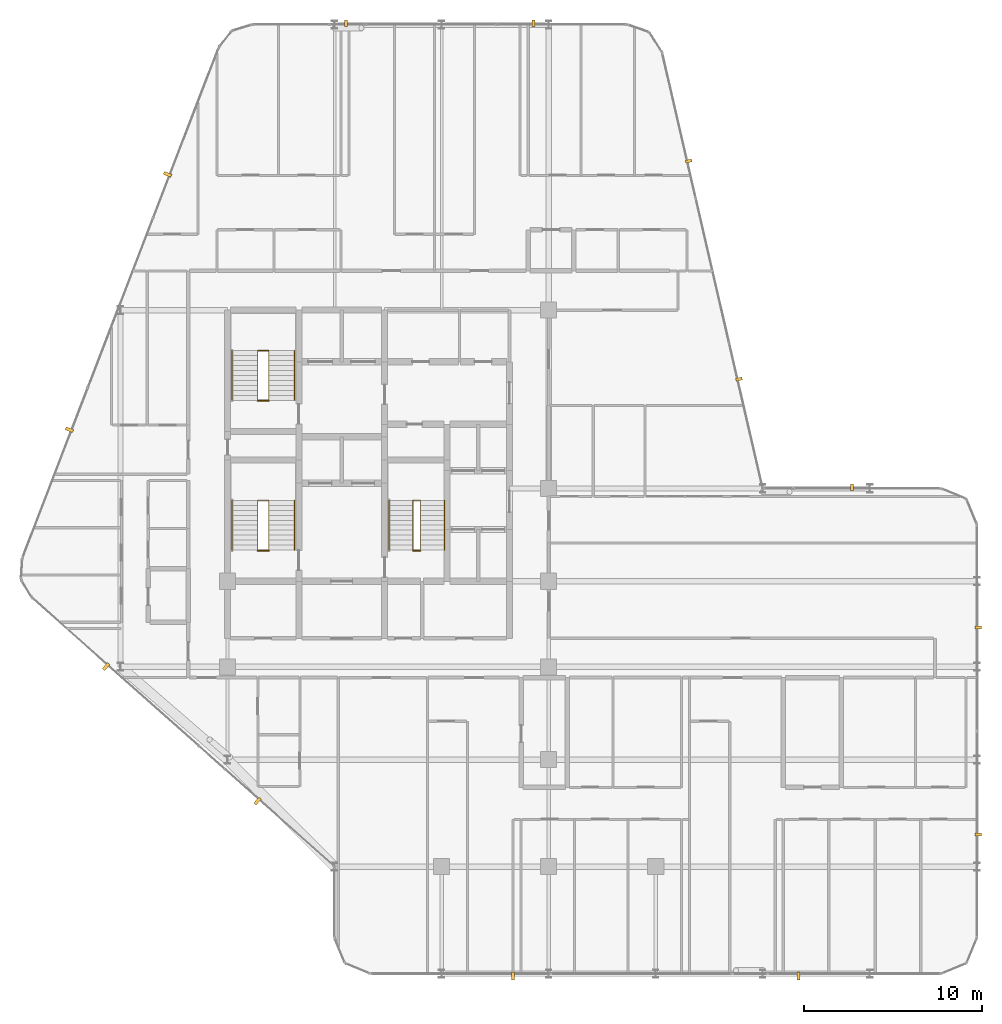
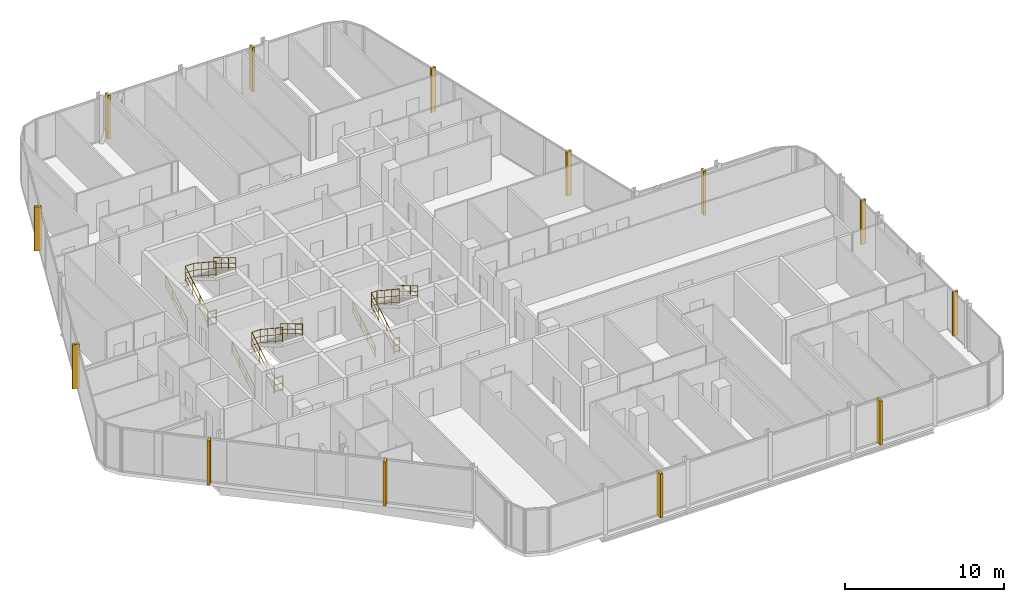
# One storey, part 29 of 29: 13 coverings, 12 railings.
"""IFC4 building model written with IfcOpenShell, lengths in metres."""

from ifc_helpers import new_model, si_unit, direction, frame, origin, origin_2d, place, context, subcontext, project, spatial, rectangle, circle, extrude, material, layer, layer_set, type_object, element, save


model = new_model("IFC4")

# Units and contexts
model_context = context("Model", 3, precision=1e-05, world=origin(), true_north=direction((0.0, 1.0)))
body_context = subcontext(model_context, "Body", "Model", "MODEL_VIEW")
ifc_project = project(units=[si_unit("LENGTHUNIT", "METRE"), si_unit("AREAUNIT", "SQUARE_METRE"), si_unit("VOLUMEUNIT", "CUBIC_METRE"), si_unit("PLANEANGLEUNIT", "RADIAN"), si_unit("MASSUNIT", "GRAM", prefix="KILO")], contexts=[model_context])

# Site, building, storey
site_placement = place(None, origin())
site = spatial("IfcSite", under=ifc_project, at=site_placement, CompositionType="ELEMENT")
building_placement = place(site_placement, origin())
building = spatial("IfcBuilding", under=site, at=building_placement, Name="Keshet Zoharim Tower", CompositionType="ELEMENT")
storey_placement = place(building_placement, frame((0.0, 0.0, 188.39990234375)))
storey = spatial("IfcBuildingStorey", under=building, at=storey_placement, Name="L46", CompositionType="ELEMENT", Elevation=188.39990234375)

# Coverings
ifc_material_1 = material(Name="Concrete C50/60 precast", Category="concrete")
covering_type_1 = type_object("IfcCoveringType", Name="FIN-SOL-360", PredefinedType="CLADDING", material=ifc_material_1)
for number, where, z_axis, x_axis, name in (
    (1, (57.080078125, 20.10009765625, 0.0), (0.0, 0.0, 1.0), (0.0, -1.0, 0.0), "L46 Vertical Precast Solar Fin 01"),
    (2, (57.080078125, 8.5, 0.0), (0.0, 0.0, 1.0), (0.0, -1.0, 0.0), "L46 Vertical Precast Solar Fin 02"),
    (3, (21.633056640625, 53.97998046875, 0.0), (0.0, 0.0, 1.0), (1.0, 0.0, 0.0), "L46 Vertical Precast Solar Fin 09"),
    (4, (32.14990234375, 53.97998046875, 0.0), (0.0, 0.0, 1.0), (1.0, 0.0, 0.0), "L46 Vertical Precast Solar Fin 10"),
    (5, (40.845947265625, 46.2548828125, 0.0), (0.0, 0.0, 1.0), (0.224847864369, -0.974393882313, 0.0), "L46 Vertical Precast Solar Fin 11"),
    (6, (43.6669921875, 34.030029296875, 0.0), (0.0, 0.0, 1.0), (0.224847864369, -0.974393882313, 0.0), "L46 Vertical Precast Solar Fin 12"),
    (7, (50.0, 27.97998046875, 0.0), (0.0, 0.0, 1.0), (1.0, 0.0, 0.0), "L46 Vertical Precast Solar Fin 13"),
):
    element("IfcCovering", number, at=place(storey_placement, frame(where, z_axis=z_axis, x_axis=x_axis)), inside=storey, type_object=covering_type_1, Name=name, PredefinedType="CLADDING", context=body_context, shape_type="SweptSolid", body=[
        extrude(rectangle(XDim=0.159912109375, YDim=0.360107421875, at=origin_2d()), origin(), (0.0, 0.0, 1.0), 3.389892578125),
    ])
covering_type_2 = type_object("IfcCoveringType", Name="FIN-SOL-450", PredefinedType="CLADDING", material=ifc_material_1)
for number, where, z_axis, x_axis, name in (
    (8, (47.0, 0.574951171875, 0.0), (0.0, 0.0, 1.0), (-1.0, 0.0, 0.0), "L46 Vertical Precast Solar Fin 03"),
    (9, (31.0, 0.574951171875, 0.0), (0.0, 0.0, 1.0), (-1.0, 0.0, 0.0), "L46 Vertical Precast Solar Fin 04"),
    (10, (16.676025390625, 10.376953125, 0.0), (0.0, 0.0, 1.0), (-0.747409318679, 0.664363838836, 0.0), "L46 Vertical Precast Solar Fin 05"),
    (11, (8.193115234375, 17.9169921875, 0.0), (0.0, 0.0, 1.0), (-0.747409318679, 0.664363838836, 0.0), "L46 Vertical Precast Solar Fin 06"),
    (12, (6.133056640625, 31.194091796875, 0.0), (0.0, 0.0, 1.0), (0.358990003907, 0.933341404361, 0.0), "L46 Vertical Precast Solar Fin 07"),
    (13, (11.637939453125, 45.507080078125, 0.0), (0.0, 0.0, 1.0), (0.358990003907, 0.933341404361, 0.0), "L46 Vertical Precast Solar Fin 08"),
):
    element("IfcCovering", number, at=place(storey_placement, frame(where, z_axis=z_axis, x_axis=x_axis)), inside=storey, type_object=covering_type_2, Name=name, PredefinedType="CLADDING", context=body_context, shape_type="SweptSolid", body=[
        extrude(rectangle(XDim=0.179931640625, YDim=0.449951171875, at=origin_2d()), origin(), (0.0, 0.0, 1.0), 3.389892578125),
    ])

# Railings
ifc_material_2 = material(Name="Steel S355", Category="steel")
ifc_layer_1 = layer(ifc_material_2, 0.050048828125)
ifc_layer_set_1 = layer_set([ifc_layer_1], Name="Steel S355")
railing_type_1 = type_object("IfcRailingType", Name="RL-HND-092", PredefinedType="HANDRAIL", material=ifc_layer_set_1)
railing_1_placement = place(storey_placement, frame((15.239990234375, 24.43994140625, 0.168212890625)))
element("IfcRailing", 14, at=railing_1_placement, inside=storey, type_object=railing_type_1, Name="L46 ST-01 Flight 1 Wall Handrail", PredefinedType="HANDRAIL", context=body_context, shape_type="SweptSolid", body=[
    extrude(circle(Radius=0.02392578125, at=origin_2d()), frame((0.0, 0.0, 0.89599609375), z_axis=(0.0, 0.857242210791, 0.514913383045), x_axis=(-1.0, 0.0, 0.0)), (0.0, 0.0, 1.0), 3.266357421875),
    extrude(circle(Radius=0.01611328125, at=origin_2d()), frame((0.0, 0.0, 0.478271484375), z_axis=(0.0, 0.857242210791, 0.514913383045), x_axis=(-1.0, 0.0, 0.0)), (0.0, 0.0, 1.0), 3.266357421875),
    extrude(circle(Radius=0.01611328125, at=origin_2d()), frame((0.0, 0.0, 0.1201171875), z_axis=(0.0, 0.857242210791, 0.514913383045), x_axis=(-1.0, 0.0, 0.0)), (0.0, 0.0, 1.0), 3.266357421875),
    extrude(circle(Radius=0.02099609375, at=origin_2d()), origin(), (0.0, 0.0, 1.0), 0.871826171875),
    extrude(circle(Radius=0.02099609375, at=origin_2d()), frame((0.0, 0.933349609375, 0.560546875)), (0.0, 0.0, 1.0), 0.871826171875),
    extrude(circle(Radius=0.02099609375, at=origin_2d()), frame((0.0, 1.86669921875, 1.121337890625)), (0.0, 0.0, 1.0), 0.871826171875),
    extrude(circle(Radius=0.02099609375, at=origin_2d()), frame((0.0, 2.800048828125, 1.681884765625)), (0.0, 0.0, 1.0), 0.871826171875),
])
railing_2_placement = place(storey_placement, frame((18.760009765625, 27.239990234375, 2.018310546875)))
element("IfcRailing", 15, at=railing_2_placement, inside=storey, type_object=railing_type_1, Name="L46 ST-01 Flight 2 Wall Handrail", PredefinedType="HANDRAIL", context=body_context, shape_type="SweptSolid", body=[
    extrude(circle(Radius=0.02392578125, at=origin_2d()), frame((0.0, 0.0, 0.89599609375), z_axis=(0.0, -0.857242210791, 0.514913383045), x_axis=(1.0, 0.0, 0.0)), (0.0, 0.0, 1.0), 3.266357421875),
    extrude(circle(Radius=0.01611328125, at=origin_2d()), frame((0.0, 0.0, 0.478271484375), z_axis=(0.0, -0.857242210791, 0.514913383045), x_axis=(1.0, 0.0, 0.0)), (0.0, 0.0, 1.0), 3.266357421875),
    extrude(circle(Radius=0.01611328125, at=origin_2d()), frame((0.0, 0.0, 0.1201171875), z_axis=(0.0, -0.857242210791, 0.514913383045), x_axis=(1.0, 0.0, 0.0)), (0.0, 0.0, 1.0), 3.266357421875),
    extrude(circle(Radius=0.02099609375, at=origin_2d()), origin(), (0.0, 0.0, 1.0), 0.871826171875),
    extrude(circle(Radius=0.02099609375, at=origin_2d()), frame((0.0, -0.933349609375, 0.560546875)), (0.0, 0.0, 1.0), 0.871826171875),
    extrude(circle(Radius=0.02099609375, at=origin_2d()), frame((0.0, -1.86669921875, 1.121337890625)), (0.0, 0.0, 1.0), 0.871826171875),
    extrude(circle(Radius=0.02099609375, at=origin_2d()), frame((0.0, -2.800048828125, 1.681884765625)), (0.0, 0.0, 1.0), 0.871826171875),
])
railing_3_placement = place(storey_placement, frame((15.239990234375, 32.840087890625, 0.168212890625)))
element("IfcRailing", 16, at=railing_3_placement, inside=storey, type_object=railing_type_1, Name="L46 ST-02 Flight 1 Wall Handrail", PredefinedType="HANDRAIL", context=body_context, shape_type="SweptSolid", body=[
    extrude(circle(Radius=0.02392578125, at=origin_2d()), frame((0.0, 0.0, 0.89599609375), z_axis=(0.0, 0.857222391501, 0.514946377315), x_axis=(-1.0, 0.0, 0.0)), (0.0, 0.0, 1.0), 3.26611328125),
    extrude(circle(Radius=0.01611328125, at=origin_2d()), frame((0.0, 0.0, 0.478271484375), z_axis=(0.0, 0.857222391501, 0.514946377315), x_axis=(-1.0, 0.0, 0.0)), (0.0, 0.0, 1.0), 3.26611328125),
    extrude(circle(Radius=0.01611328125, at=origin_2d()), frame((0.0, 0.0, 0.1201171875), z_axis=(0.0, 0.857222391501, 0.514946377315), x_axis=(-1.0, 0.0, 0.0)), (0.0, 0.0, 1.0), 3.26611328125),
    extrude(circle(Radius=0.02099609375, at=origin_2d()), origin(), (0.0, 0.0, 1.0), 0.871826171875),
    extrude(circle(Radius=0.02099609375, at=origin_2d()), frame((0.0, 0.933349609375, 0.560546875)), (0.0, 0.0, 1.0), 0.871826171875),
    extrude(circle(Radius=0.02099609375, at=origin_2d()), frame((0.0, 1.866455078125, 1.121337890625)), (0.0, 0.0, 1.0), 0.871826171875),
    extrude(circle(Radius=0.02099609375, at=origin_2d()), frame((0.0, 2.7998046875, 1.681884765625)), (0.0, 0.0, 1.0), 0.871826171875),
])
railing_4_placement = place(storey_placement, frame((18.760009765625, 35.639892578125, 2.018310546875)))
element("IfcRailing", 17, at=railing_4_placement, inside=storey, type_object=railing_type_1, Name="L46 ST-02 Flight 2 Wall Handrail", PredefinedType="HANDRAIL", context=body_context, shape_type="SweptSolid", body=[
    extrude(circle(Radius=0.02392578125, at=origin_2d()), frame((0.0, 0.0, 0.89599609375), z_axis=(0.0, -0.857222391501, 0.514946377315), x_axis=(1.0, 0.0, 0.0)), (0.0, 0.0, 1.0), 3.26611328125),
    extrude(circle(Radius=0.01611328125, at=origin_2d()), frame((0.0, 0.0, 0.478271484375), z_axis=(0.0, -0.857222391501, 0.514946377315), x_axis=(1.0, 0.0, 0.0)), (0.0, 0.0, 1.0), 3.26611328125),
    extrude(circle(Radius=0.01611328125, at=origin_2d()), frame((0.0, 0.0, 0.1201171875), z_axis=(0.0, -0.857222391501, 0.514946377315), x_axis=(1.0, 0.0, 0.0)), (0.0, 0.0, 1.0), 3.26611328125),
    extrude(circle(Radius=0.02099609375, at=origin_2d()), origin(), (0.0, 0.0, 1.0), 0.871826171875),
    extrude(circle(Radius=0.02099609375, at=origin_2d()), frame((0.0, -0.933349609375, 0.560546875)), (0.0, 0.0, 1.0), 0.871826171875),
    extrude(circle(Radius=0.02099609375, at=origin_2d()), frame((0.0, -1.866455078125, 1.121337890625)), (0.0, 0.0, 1.0), 0.871826171875),
    extrude(circle(Radius=0.02099609375, at=origin_2d()), frame((0.0, -2.7998046875, 1.681884765625)), (0.0, 0.0, 1.0), 0.871826171875),
])
railing_5_placement = place(storey_placement, frame((24.0400390625, 24.43994140625, 0.168212890625)))
element("IfcRailing", 18, at=railing_5_placement, inside=storey, type_object=railing_type_1, Name="L46 ST-03 Flight 1 Wall Handrail", PredefinedType="HANDRAIL", context=body_context, shape_type="SweptSolid", body=[
    extrude(circle(Radius=0.02392578125, at=origin_2d()), frame((0.0, 0.0, 0.89599609375), z_axis=(0.0, 0.857242210791, 0.514913383045), x_axis=(-1.0, 0.0, 0.0)), (0.0, 0.0, 1.0), 3.266357421875),
    extrude(circle(Radius=0.01611328125, at=origin_2d()), frame((0.0, 0.0, 0.478271484375), z_axis=(0.0, 0.857242210791, 0.514913383045), x_axis=(-1.0, 0.0, 0.0)), (0.0, 0.0, 1.0), 3.266357421875),
    extrude(circle(Radius=0.01611328125, at=origin_2d()), frame((0.0, 0.0, 0.1201171875), z_axis=(0.0, 0.857242210791, 0.514913383045), x_axis=(-1.0, 0.0, 0.0)), (0.0, 0.0, 1.0), 3.266357421875),
    extrude(circle(Radius=0.02099609375, at=origin_2d()), origin(), (0.0, 0.0, 1.0), 0.871826171875),
    extrude(circle(Radius=0.02099609375, at=origin_2d()), frame((0.0, 0.933349609375, 0.560546875)), (0.0, 0.0, 1.0), 0.871826171875),
    extrude(circle(Radius=0.02099609375, at=origin_2d()), frame((0.0, 1.86669921875, 1.121337890625)), (0.0, 0.0, 1.0), 0.871826171875),
    extrude(circle(Radius=0.02099609375, at=origin_2d()), frame((0.0, 2.800048828125, 1.681884765625)), (0.0, 0.0, 1.0), 0.871826171875),
])
railing_6_placement = place(storey_placement, frame((27.159912109375, 27.239990234375, 2.018310546875)))
element("IfcRailing", 19, at=railing_6_placement, inside=storey, type_object=railing_type_1, Name="L46 ST-03 Flight 2 Wall Handrail", PredefinedType="HANDRAIL", context=body_context, shape_type="SweptSolid", body=[
    extrude(circle(Radius=0.02392578125, at=origin_2d()), frame((0.0, 0.0, 0.89599609375), z_axis=(0.0, -0.857242210791, 0.514913383045), x_axis=(1.0, 0.0, 0.0)), (0.0, 0.0, 1.0), 3.266357421875),
    extrude(circle(Radius=0.01611328125, at=origin_2d()), frame((0.0, 0.0, 0.478271484375), z_axis=(0.0, -0.857242210791, 0.514913383045), x_axis=(1.0, 0.0, 0.0)), (0.0, 0.0, 1.0), 3.266357421875),
    extrude(circle(Radius=0.01611328125, at=origin_2d()), frame((0.0, 0.0, 0.1201171875), z_axis=(0.0, -0.857242210791, 0.514913383045), x_axis=(1.0, 0.0, 0.0)), (0.0, 0.0, 1.0), 3.266357421875),
    extrude(circle(Radius=0.02099609375, at=origin_2d()), origin(), (0.0, 0.0, 1.0), 0.871826171875),
    extrude(circle(Radius=0.02099609375, at=origin_2d()), frame((0.0, -0.933349609375, 0.560546875)), (0.0, 0.0, 1.0), 0.871826171875),
    extrude(circle(Radius=0.02099609375, at=origin_2d()), frame((0.0, -1.86669921875, 1.121337890625)), (0.0, 0.0, 1.0), 0.871826171875),
    extrude(circle(Radius=0.02099609375, at=origin_2d()), frame((0.0, -2.800048828125, 1.681884765625)), (0.0, 0.0, 1.0), 0.871826171875),
])
ifc_layer_2 = layer(ifc_material_2, 0.06005859375)
ifc_layer_set_2 = layer_set([ifc_layer_2], Name="Steel S355")
railing_type_2 = type_object("IfcRailingType", Name="RL-STG-115", PredefinedType="GUARDRAIL", material=ifc_layer_set_2)
railing_7_placement = place(storey_placement, frame((16.68994140625, 24.43994140625, 0.168212890625)))
element("IfcRailing", 20, at=railing_7_placement, inside=storey, type_object=railing_type_2, Name="L46 ST-01 Inner Well Guardrail", PredefinedType="GUARDRAIL", context=body_context, shape_type="SweptSolid", body=[
    extrude(circle(Radius=0.02392578125, at=origin_2d()), frame((0.0, 0.0, 1.1259765625), z_axis=(0.0, 0.857242210791, 0.514913383045), x_axis=(-1.0, 0.0, 0.0)), (0.0, 0.0, 1.0), 3.266357421875),
    extrude(circle(Radius=0.01611328125, at=origin_2d()), frame((0.0, 0.0, 0.597900390625), z_axis=(0.0, 0.857242210791, 0.514913383045), x_axis=(-1.0, 0.0, 0.0)), (0.0, 0.0, 1.0), 3.266357421875),
    extrude(circle(Radius=0.01611328125, at=origin_2d()), frame((0.0, 0.0, 0.1201171875), z_axis=(0.0, 0.857242210791, 0.514913383045), x_axis=(-1.0, 0.0, 0.0)), (0.0, 0.0, 1.0), 3.266357421875),
    extrude(circle(Radius=0.02392578125, at=origin_2d()), frame((0.0, 2.800048828125, 2.8076171875), z_axis=(1.0, 0.0, 0.0), x_axis=(0.0, 1.0, 0.0)), (0.0, 0.0, 1.0), 0.6201171875),
    extrude(circle(Radius=0.01611328125, at=origin_2d()), frame((0.0, 2.800048828125, 2.27978515625), z_axis=(1.0, 0.0, 0.0), x_axis=(0.0, 1.0, 0.0)), (0.0, 0.0, 1.0), 0.6201171875),
    extrude(circle(Radius=0.01611328125, at=origin_2d()), frame((0.0, 2.800048828125, 1.802001953125), z_axis=(1.0, 0.0, 0.0), x_axis=(0.0, 1.0, 0.0)), (0.0, 0.0, 1.0), 0.6201171875),
    extrude(circle(Radius=0.02392578125, at=origin_2d()), frame((0.6201171875, 2.800048828125, 2.8076171875), z_axis=(0.0, -0.834326358476, 0.551270829586), x_axis=(1.0, 0.0, 0.0)), (0.0, 0.0, 1.0), 3.35595703125),
    extrude(circle(Radius=0.01611328125, at=origin_2d()), frame((0.6201171875, 2.800048828125, 2.27978515625), z_axis=(0.0, -0.834326358476, 0.551270829586), x_axis=(1.0, 0.0, 0.0)), (0.0, 0.0, 1.0), 3.35595703125),
    extrude(circle(Radius=0.01611328125, at=origin_2d()), frame((0.6201171875, 2.800048828125, 1.802001953125), z_axis=(0.0, -0.834326358476, 0.551270829586), x_axis=(1.0, 0.0, 0.0)), (0.0, 0.0, 1.0), 3.35595703125),
    extrude(circle(Radius=0.02099609375, at=origin_2d()), origin(), (0.0, 0.0, 1.0), 1.101806640625),
    extrude(circle(Radius=0.02099609375, at=origin_2d()), frame((0.0, 0.933349609375, 0.560546875)), (0.0, 0.0, 1.0), 1.101806640625),
    extrude(circle(Radius=0.02099609375, at=origin_2d()), frame((0.0, 1.86669921875, 1.121337890625)), (0.0, 0.0, 1.0), 1.101806640625),
    extrude(circle(Radius=0.02099609375, at=origin_2d()), frame((0.0, 2.800048828125, 1.681884765625)), (0.0, 0.0, 1.0), 1.101806640625),
    extrude(circle(Radius=0.02099609375, at=origin_2d()), frame((0.6201171875, 2.800048828125, 1.681884765625)), (0.0, 0.0, 1.0), 1.101806640625),
    extrude(circle(Radius=0.02099609375, at=origin_2d()), frame((0.6201171875, 1.86669921875, 2.298583984375)), (0.0, 0.0, 1.0), 1.101806640625),
    extrude(circle(Radius=0.02099609375, at=origin_2d()), frame((0.6201171875, 0.933349609375, 2.915283203125)), (0.0, 0.0, 1.0), 1.101806640625),
    extrude(circle(Radius=0.02099609375, at=origin_2d()), frame((0.6201171875, 0.0, 3.531982421875)), (0.0, 0.0, 1.0), 1.101806640625),
])
railing_8_placement = place(storey_placement, frame((16.68994140625, 24.409912109375, 0.0)))
element("IfcRailing", 21, at=railing_8_placement, inside=storey, type_object=railing_type_2, Name="L46 ST-01 Stairwell Floor Guardrail", PredefinedType="GUARDRAIL", context=body_context, shape_type="SweptSolid", body=[
    extrude(circle(Radius=0.02392578125, at=origin_2d()), frame((0.0, 0.0, 1.1259765625), z_axis=(1.0, 0.0, 0.0), x_axis=(0.0, 1.0, 0.0)), (0.0, 0.0, 1.0), 0.6201171875),
    extrude(circle(Radius=0.01611328125, at=origin_2d()), frame((0.0, 0.0, 0.597900390625), z_axis=(1.0, 0.0, 0.0), x_axis=(0.0, 1.0, 0.0)), (0.0, 0.0, 1.0), 0.6201171875),
    extrude(circle(Radius=0.01611328125, at=origin_2d()), frame((0.0, 0.0, 0.1201171875), z_axis=(1.0, 0.0, 0.0), x_axis=(0.0, 1.0, 0.0)), (0.0, 0.0, 1.0), 0.6201171875),
    extrude(circle(Radius=0.02099609375, at=origin_2d()), origin(), (0.0, 0.0, 1.0), 1.101806640625),
    extrude(circle(Radius=0.02099609375, at=origin_2d()), frame((0.6201171875, 0.0, 0.0)), (0.0, 0.0, 1.0), 1.101806640625),
])
railing_9_placement = place(storey_placement, frame((16.68994140625, 32.840087890625, 0.168212890625)))
element("IfcRailing", 22, at=railing_9_placement, inside=storey, type_object=railing_type_2, Name="L46 ST-02 Inner Well Guardrail", PredefinedType="GUARDRAIL", context=body_context, shape_type="SweptSolid", body=[
    extrude(circle(Radius=0.02392578125, at=origin_2d()), frame((0.0, 0.0, 1.1259765625), z_axis=(0.0, 0.857222391501, 0.514946377315), x_axis=(-1.0, 0.0, 0.0)), (0.0, 0.0, 1.0), 3.26611328125),
    extrude(circle(Radius=0.01611328125, at=origin_2d()), frame((0.0, 0.0, 0.597900390625), z_axis=(0.0, 0.857222391501, 0.514946377315), x_axis=(-1.0, 0.0, 0.0)), (0.0, 0.0, 1.0), 3.26611328125),
    extrude(circle(Radius=0.01611328125, at=origin_2d()), frame((0.0, 0.0, 0.1201171875), z_axis=(0.0, 0.857222391501, 0.514946377315), x_axis=(-1.0, 0.0, 0.0)), (0.0, 0.0, 1.0), 3.26611328125),
    extrude(circle(Radius=0.02392578125, at=origin_2d()), frame((0.0, 2.7998046875, 2.8076171875), z_axis=(1.0, 0.0, 0.0), x_axis=(0.0, 1.0, 0.0)), (0.0, 0.0, 1.0), 0.6201171875),
    extrude(circle(Radius=0.01611328125, at=origin_2d()), frame((0.0, 2.7998046875, 2.27978515625), z_axis=(1.0, 0.0, 0.0), x_axis=(0.0, 1.0, 0.0)), (0.0, 0.0, 1.0), 0.6201171875),
    extrude(circle(Radius=0.01611328125, at=origin_2d()), frame((0.0, 2.7998046875, 1.802001953125), z_axis=(1.0, 0.0, 0.0), x_axis=(0.0, 1.0, 0.0)), (0.0, 0.0, 1.0), 0.6201171875),
    extrude(circle(Radius=0.02392578125, at=origin_2d()), frame((0.6201171875, 2.7998046875, 2.8076171875), z_axis=(0.0, -0.834304248922, 0.551304290053), x_axis=(1.0, 0.0, 0.0)), (0.0, 0.0, 1.0), 3.35595703125),
    extrude(circle(Radius=0.01611328125, at=origin_2d()), frame((0.6201171875, 2.7998046875, 2.27978515625), z_axis=(0.0, -0.834304248922, 0.551304290053), x_axis=(1.0, 0.0, 0.0)), (0.0, 0.0, 1.0), 3.35595703125),
    extrude(circle(Radius=0.01611328125, at=origin_2d()), frame((0.6201171875, 2.7998046875, 1.802001953125), z_axis=(0.0, -0.834304248922, 0.551304290053), x_axis=(1.0, 0.0, 0.0)), (0.0, 0.0, 1.0), 3.35595703125),
    extrude(circle(Radius=0.02099609375, at=origin_2d()), origin(), (0.0, 0.0, 1.0), 1.101806640625),
    extrude(circle(Radius=0.02099609375, at=origin_2d()), frame((0.0, 0.933349609375, 0.560546875)), (0.0, 0.0, 1.0), 1.101806640625),
    extrude(circle(Radius=0.02099609375, at=origin_2d()), frame((0.0, 1.866455078125, 1.121337890625)), (0.0, 0.0, 1.0), 1.101806640625),
    extrude(circle(Radius=0.02099609375, at=origin_2d()), frame((0.0, 2.7998046875, 1.681884765625)), (0.0, 0.0, 1.0), 1.101806640625),
    extrude(circle(Radius=0.02099609375, at=origin_2d()), frame((0.6201171875, 2.7998046875, 1.681884765625)), (0.0, 0.0, 1.0), 1.101806640625),
    extrude(circle(Radius=0.02099609375, at=origin_2d()), frame((0.6201171875, 1.866455078125, 2.298583984375)), (0.0, 0.0, 1.0), 1.101806640625),
    extrude(circle(Radius=0.02099609375, at=origin_2d()), frame((0.6201171875, 0.933349609375, 2.915283203125)), (0.0, 0.0, 1.0), 1.101806640625),
    extrude(circle(Radius=0.02099609375, at=origin_2d()), frame((0.6201171875, 0.0, 3.531982421875)), (0.0, 0.0, 1.0), 1.101806640625),
])
railing_10_placement = place(storey_placement, frame((16.68994140625, 32.81005859375, 0.0)))
element("IfcRailing", 23, at=railing_10_placement, inside=storey, type_object=railing_type_2, Name="L46 ST-02 Stairwell Floor Guardrail", PredefinedType="GUARDRAIL", context=body_context, shape_type="SweptSolid", body=[
    extrude(circle(Radius=0.02392578125, at=origin_2d()), frame((0.0, 0.0, 1.1259765625), z_axis=(1.0, 0.0, 0.0), x_axis=(0.0, 1.0, 0.0)), (0.0, 0.0, 1.0), 0.6201171875),
    extrude(circle(Radius=0.01611328125, at=origin_2d()), frame((0.0, 0.0, 0.597900390625), z_axis=(1.0, 0.0, 0.0), x_axis=(0.0, 1.0, 0.0)), (0.0, 0.0, 1.0), 0.6201171875),
    extrude(circle(Radius=0.01611328125, at=origin_2d()), frame((0.0, 0.0, 0.1201171875), z_axis=(1.0, 0.0, 0.0), x_axis=(0.0, 1.0, 0.0)), (0.0, 0.0, 1.0), 0.6201171875),
    extrude(circle(Radius=0.02099609375, at=origin_2d()), origin(), (0.0, 0.0, 1.0), 1.101806640625),
    extrude(circle(Radius=0.02099609375, at=origin_2d()), frame((0.6201171875, 0.0, 0.0)), (0.0, 0.0, 1.0), 1.101806640625),
])
railing_11_placement = place(storey_placement, frame((25.39990234375, 24.43994140625, 0.168212890625)))
element("IfcRailing", 24, at=railing_11_placement, inside=storey, type_object=railing_type_2, Name="L46 ST-03 Inner Well Guardrail", PredefinedType="GUARDRAIL", context=body_context, shape_type="SweptSolid", body=[
    extrude(circle(Radius=0.02392578125, at=origin_2d()), frame((0.0, 0.0, 1.1259765625), z_axis=(0.0, 0.857242210791, 0.514913383045), x_axis=(-1.0, 0.0, 0.0)), (0.0, 0.0, 1.0), 3.266357421875),
    extrude(circle(Radius=0.01611328125, at=origin_2d()), frame((0.0, 0.0, 0.597900390625), z_axis=(0.0, 0.857242210791, 0.514913383045), x_axis=(-1.0, 0.0, 0.0)), (0.0, 0.0, 1.0), 3.266357421875),
    extrude(circle(Radius=0.01611328125, at=origin_2d()), frame((0.0, 0.0, 0.1201171875), z_axis=(0.0, 0.857242210791, 0.514913383045), x_axis=(-1.0, 0.0, 0.0)), (0.0, 0.0, 1.0), 3.266357421875),
    extrude(circle(Radius=0.02392578125, at=origin_2d()), frame((0.0, 2.800048828125, 2.8076171875), z_axis=(1.0, 0.0, 0.0), x_axis=(0.0, 1.0, 0.0)), (0.0, 0.0, 1.0), 0.400146484375),
    extrude(circle(Radius=0.01611328125, at=origin_2d()), frame((0.0, 2.800048828125, 2.27978515625), z_axis=(1.0, 0.0, 0.0), x_axis=(0.0, 1.0, 0.0)), (0.0, 0.0, 1.0), 0.400146484375),
    extrude(circle(Radius=0.01611328125, at=origin_2d()), frame((0.0, 2.800048828125, 1.802001953125), z_axis=(1.0, 0.0, 0.0), x_axis=(0.0, 1.0, 0.0)), (0.0, 0.0, 1.0), 0.400146484375),
    extrude(circle(Radius=0.02392578125, at=origin_2d()), frame((0.400146484375, 2.800048828125, 2.8076171875), z_axis=(0.0, -0.834326358476, 0.551270829586), x_axis=(1.0, 0.0, 0.0)), (0.0, 0.0, 1.0), 3.35595703125),
    extrude(circle(Radius=0.01611328125, at=origin_2d()), frame((0.400146484375, 2.800048828125, 2.27978515625), z_axis=(0.0, -0.834326358476, 0.551270829586), x_axis=(1.0, 0.0, 0.0)), (0.0, 0.0, 1.0), 3.35595703125),
    extrude(circle(Radius=0.01611328125, at=origin_2d()), frame((0.400146484375, 2.800048828125, 1.802001953125), z_axis=(0.0, -0.834326358476, 0.551270829586), x_axis=(1.0, 0.0, 0.0)), (0.0, 0.0, 1.0), 3.35595703125),
    extrude(circle(Radius=0.02099609375, at=origin_2d()), origin(), (0.0, 0.0, 1.0), 1.101806640625),
    extrude(circle(Radius=0.02099609375, at=origin_2d()), frame((0.0, 0.933349609375, 0.560546875)), (0.0, 0.0, 1.0), 1.101806640625),
    extrude(circle(Radius=0.02099609375, at=origin_2d()), frame((0.0, 1.86669921875, 1.121337890625)), (0.0, 0.0, 1.0), 1.101806640625),
    extrude(circle(Radius=0.02099609375, at=origin_2d()), frame((0.0, 2.800048828125, 1.681884765625)), (0.0, 0.0, 1.0), 1.101806640625),
    extrude(circle(Radius=0.02099609375, at=origin_2d()), frame((0.400146484375, 2.800048828125, 1.681884765625)), (0.0, 0.0, 1.0), 1.101806640625),
    extrude(circle(Radius=0.02099609375, at=origin_2d()), frame((0.400146484375, 1.86669921875, 2.298583984375)), (0.0, 0.0, 1.0), 1.101806640625),
    extrude(circle(Radius=0.02099609375, at=origin_2d()), frame((0.400146484375, 0.933349609375, 2.915283203125)), (0.0, 0.0, 1.0), 1.101806640625),
    extrude(circle(Radius=0.02099609375, at=origin_2d()), frame((0.400146484375, 0.0, 3.531982421875)), (0.0, 0.0, 1.0), 1.101806640625),
])
railing_12_placement = place(storey_placement, frame((25.39990234375, 24.409912109375, 0.0)))
element("IfcRailing", 25, at=railing_12_placement, inside=storey, type_object=railing_type_2, Name="L46 ST-03 Stairwell Floor Guardrail", PredefinedType="GUARDRAIL", context=body_context, shape_type="SweptSolid", body=[
    extrude(circle(Radius=0.02392578125, at=origin_2d()), frame((0.0, 0.0, 1.1259765625), z_axis=(1.0, 0.0, 0.0), x_axis=(0.0, 1.0, 0.0)), (0.0, 0.0, 1.0), 0.400146484375),
    extrude(circle(Radius=0.01611328125, at=origin_2d()), frame((0.0, 0.0, 0.597900390625), z_axis=(1.0, 0.0, 0.0), x_axis=(0.0, 1.0, 0.0)), (0.0, 0.0, 1.0), 0.400146484375),
    extrude(circle(Radius=0.01611328125, at=origin_2d()), frame((0.0, 0.0, 0.1201171875), z_axis=(1.0, 0.0, 0.0), x_axis=(0.0, 1.0, 0.0)), (0.0, 0.0, 1.0), 0.400146484375),
    extrude(circle(Radius=0.02099609375, at=origin_2d()), origin(), (0.0, 0.0, 1.0), 1.101806640625),
    extrude(circle(Radius=0.02099609375, at=origin_2d()), frame((0.400146484375, 0.0, 0.0)), (0.0, 0.0, 1.0), 1.101806640625),
])

save(model, "model.ifc")
